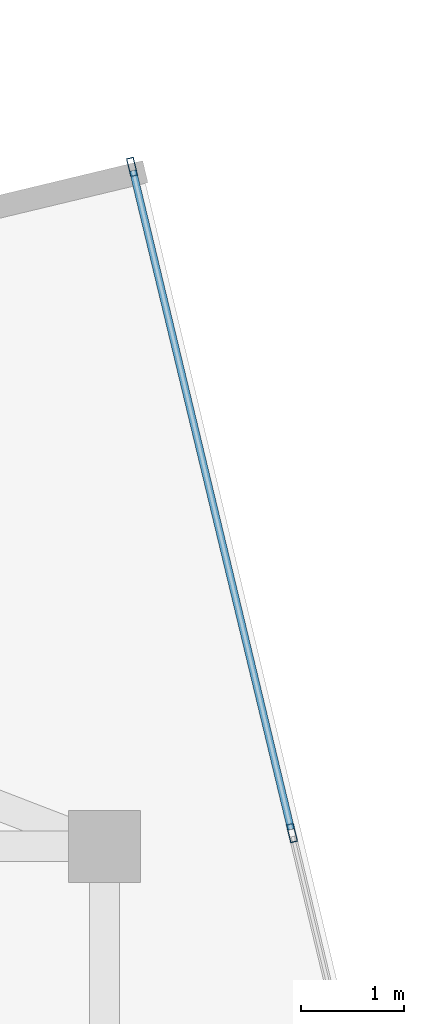
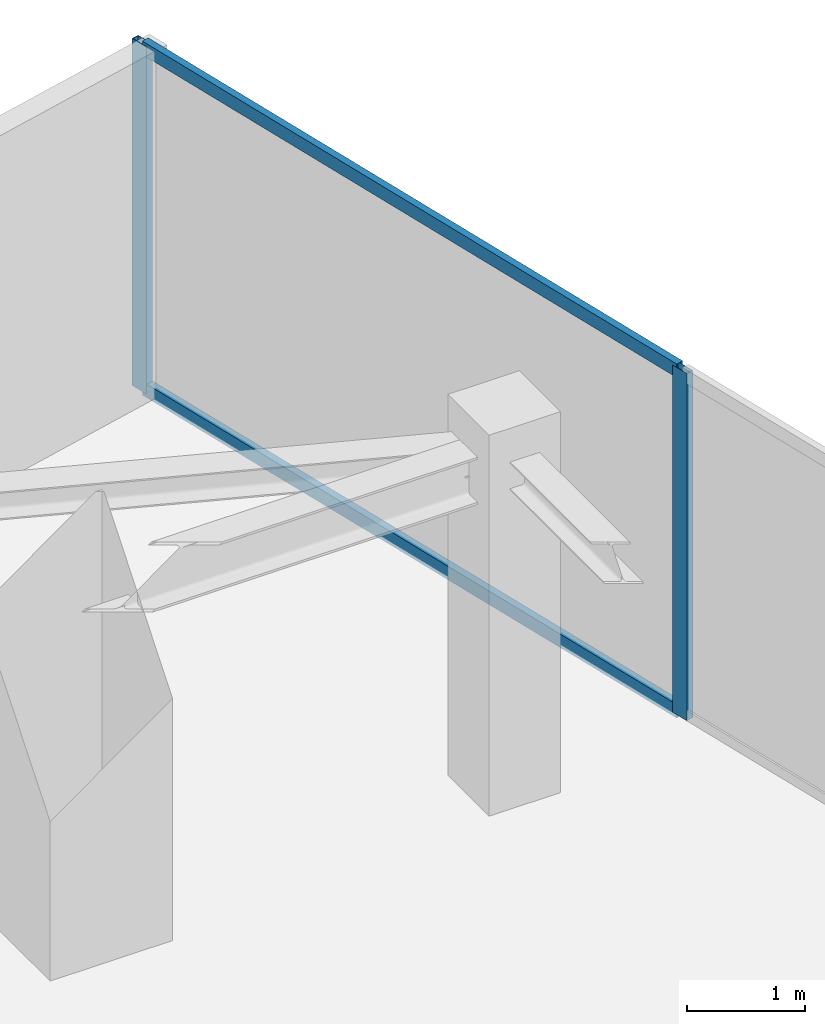
# One storey, part 17 of 22: 4 members, 1 element without a shape of its own.
"""IFC4 building model written with IfcOpenShell, lengths in metres."""

from ifc_helpers import new_model, si_unit, direction, frame, origin, origin_2d, place, context, subcontext, project, spatial, hollow_rectangle, extrude, source, transform, mapped, material, material_profile, profile_set, type_object, type_shapes, element, aggregate, save


model = new_model("IFC4")

# Units and contexts
model_context = context("Model", 3, precision=1e-05, world=origin(), true_north=direction((0.0, 1.0)))
body_context = subcontext(model_context, "Body", "Model", "MODEL_VIEW")
ifc_project = project(units=[si_unit("LENGTHUNIT", "METRE"), si_unit("AREAUNIT", "SQUARE_METRE"), si_unit("VOLUMEUNIT", "CUBIC_METRE"), si_unit("PLANEANGLEUNIT", "RADIAN"), si_unit("MASSUNIT", "GRAM", prefix="KILO")], contexts=[model_context])

# Site, building, storey
site_placement = place(None, origin())
site = spatial("IfcSite", under=ifc_project, at=site_placement, CompositionType="ELEMENT")
building_placement = place(site_placement, origin())
building = spatial("IfcBuilding", under=site, at=building_placement, Name="Krantzveldt Concourse Tower", CompositionType="ELEMENT")
storey_placement = place(building_placement, frame((0.0, 0.0, 359.300048828125)))
storey = spatial("IfcBuildingStorey", under=building, at=storey_placement, Name="L88", CompositionType="ELEMENT", Elevation=359.300048828125)

# Curtain wall, members
ifc_material = material(Name="Anodised aluminium 6063-T6", Category="aluminium")
curtain_wall_type = type_object("IfcCurtainWallType", Name="CW4", PredefinedType="USERDEFINED", material=ifc_material)
curtain_wall_placement = place(storey_placement, origin())
curtain_wall = element("IfcCurtainWall", 1, at=curtain_wall_placement, inside=storey, type_object=curtain_wall_type, Name="CW-L88-F10", ObjectType="UNITISED CURTAIN WALL", PredefinedType="USERDEFINED")
ifc_material_profile_1 = material_profile(ifc_material, hollow_rectangle(XDim=0.070068359375, YDim=0.139892578125, WallThickness=0.0048828125, at=origin_2d()), Name="Anodised aluminium 6063-T6", Category="aluminium")
ifc_profile_set_1 = profile_set([ifc_material_profile_1], Name="Anodised aluminium 6063-T6 - ALU-TRAN 140x70x5")
member_type_1 = type_object("IfcMemberType", Name="CW-TRN-150", PredefinedType="USERDEFINED", material=ifc_profile_set_1)
shared_shape_1 = source(origin(), body_context, "Body", "SweptSolid", [
    extrude(hollow_rectangle(XDim=0.070068359375, YDim=0.139892578125, WallThickness=0.0048828125, at=origin_2d()), origin(), (0.0, 0.0, 1.0), 6.594970703125),
])
type_shapes(member_type_1, [shared_shape_1])
member_1_placement = place(storey_placement, frame((52.815185546875, 37.663330078125, 0.034912109375), z_axis=(-0.233440156887, 0.972371170466, 0.0), x_axis=(-0.972371170466, -0.233440156887, 0.0)))
member_1 = element("IfcMember", 2, at=member_1_placement, type_object=member_type_1, Name="CW-Z56 transom 4.1", ObjectType="TRANSOM", PredefinedType="USERDEFINED", context=body_context, shape_type="MappedRepresentation", body=[
    mapped(shared_shape_1, transform((0.0, 0.0, 0.0), x_axis=(1.0, 0.0, 0.0), y_axis=(0.0, 1.0, 0.0), z_axis=(0.0, 0.0, 1.0), scale=1.0)),
])
member_2_placement = place(storey_placement, frame((52.815185546875, 37.663330078125, 3.56494140625), z_axis=(-0.233440156887, 0.972371170466, 0.0), x_axis=(-0.972371170466, -0.233440156887, 0.0)))
member_2 = element("IfcMember", 3, at=member_2_placement, type_object=member_type_1, Name="CW-Z56 transom 4.2", ObjectType="TRANSOM", PredefinedType="USERDEFINED", context=body_context, shape_type="MappedRepresentation", body=[
    mapped(shared_shape_1, transform((0.0, 0.0, 0.0), x_axis=(1.0, 0.0, 0.0), y_axis=(0.0, 1.0, 0.0), z_axis=(0.0, 0.0, 1.0), scale=1.0)),
])
ifc_material_profile_2 = material_profile(ifc_material, hollow_rectangle(XDim=0.070068359375, YDim=0.179931640625, WallThickness=0.0048828125, at=origin_2d()), Name="Anodised aluminium 6063-T6", Category="aluminium")
ifc_profile_set_2 = profile_set([ifc_material_profile_2], Name="Anodised aluminium 6063-T6 - ALU-MULL 180x70x5")
member_type_2 = type_object("IfcMemberType", Name="CW-MUL-180", PredefinedType="MULLION", material=ifc_profile_set_2)
shared_shape_2 = source(origin(), body_context, "Body", "SweptSolid", [
    extrude(hollow_rectangle(XDim=0.070068359375, YDim=0.179931640625, WallThickness=0.0048828125, at=origin_2d()), origin(), (0.0, 0.0, 1.0), 3.599853515625),
])
type_shapes(member_type_2, [shared_shape_2])
member_3_placement = place(storey_placement, frame((52.823486328125, 37.62939453125, 0.0), z_axis=(0.0, 0.0, 1.0), x_axis=(-0.972369896884, -0.233445461796, 0.0)))
member_3 = element("IfcMember", 4, at=member_3_placement, type_object=member_type_2, Name="CW-Z56 mullion 4", PredefinedType="MULLION", context=body_context, shape_type="MappedRepresentation", body=[
    mapped(shared_shape_2, transform((0.0, 0.0, 0.0), x_axis=(1.0, 0.0, 0.0), y_axis=(0.0, 1.0, 0.0), z_axis=(0.0, 0.0, 1.0), scale=1.0)),
])
member_4_placement = place(storey_placement, frame((51.267578125, 44.110107421875, 0.0), z_axis=(0.0, 0.0, 1.0), x_axis=(-0.972369896884, -0.233445461796, 0.0)))
member_4 = element("IfcMember", 5, at=member_4_placement, type_object=member_type_2, Name="CW-Z56 mullion 5", PredefinedType="MULLION", context=body_context, shape_type="MappedRepresentation", body=[
    mapped(shared_shape_2, transform((0.0, 0.0, 0.0), x_axis=(1.0, 0.0, 0.0), y_axis=(0.0, 1.0, 0.0), z_axis=(0.0, 0.0, 1.0), scale=1.0)),
])
aggregate(curtain_wall, [member_3, member_4, member_1, member_2])

save(model, "model.ifc")
